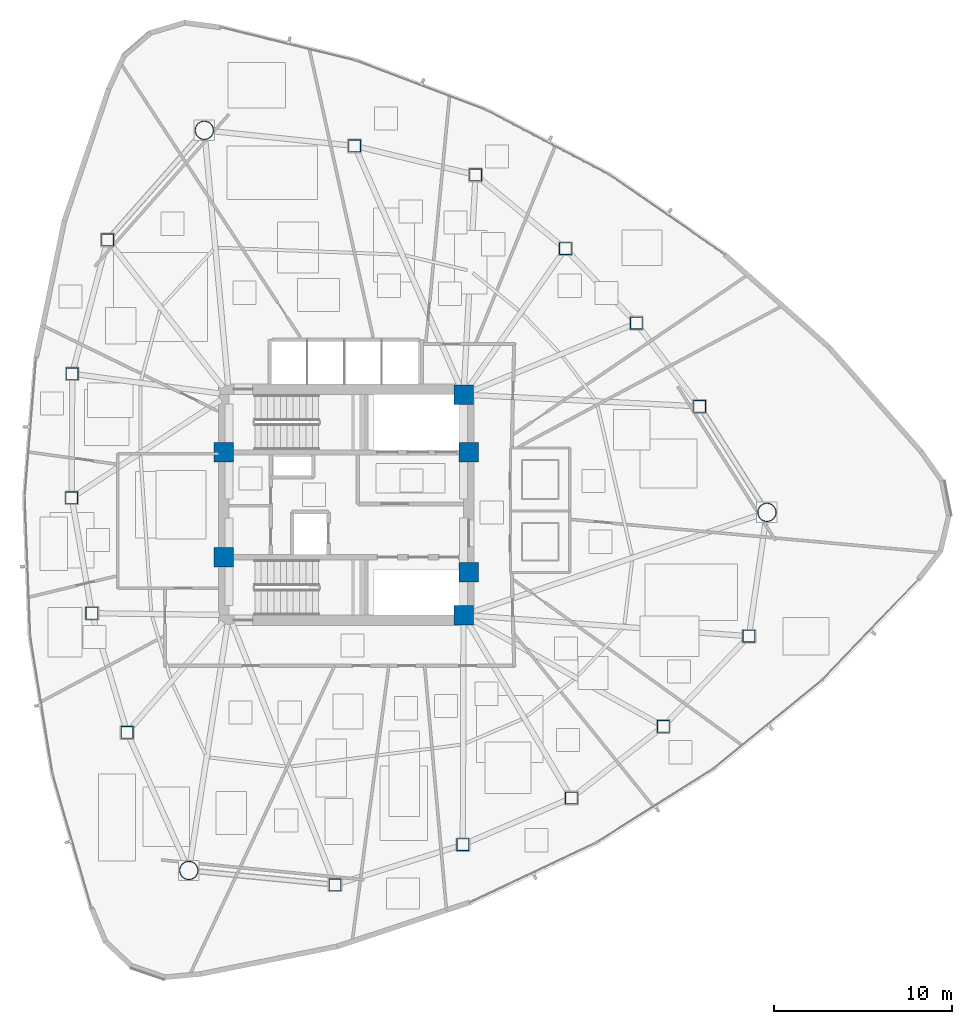
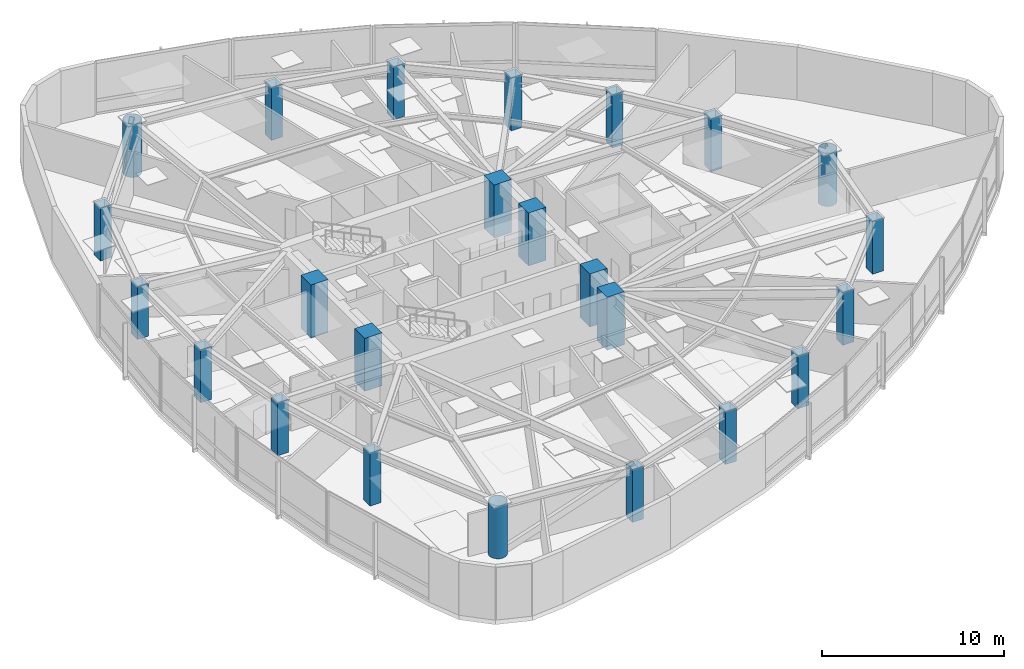
# One storey, part 1 of 17: 24 columns.
"""IFC4 building model written with IfcOpenShell, lengths in metres."""

from ifc_helpers import new_model, si_unit, direction, frame, origin, origin_2d, place, context, subcontext, project, spatial, rectangle, hollow_rectangle, hollow_circle, extrude, material, material_profile, profile_set, type_object, element, save


model = new_model("IFC4")

# Units and contexts
model_context = context("Model", 3, precision=1e-05, world=origin(), true_north=direction((0.0, 1.0)))
body_context = subcontext(model_context, "Body", "Model", "MODEL_VIEW")
ifc_project = project(units=[si_unit("LENGTHUNIT", "METRE"), si_unit("AREAUNIT", "SQUARE_METRE"), si_unit("VOLUMEUNIT", "CUBIC_METRE"), si_unit("PLANEANGLEUNIT", "RADIAN"), si_unit("MASSUNIT", "GRAM", prefix="KILO")], contexts=[model_context])

# Site, building, storey
site_placement = place(None, origin())
site = spatial("IfcSite", under=ifc_project, at=site_placement, CompositionType="ELEMENT")
building_placement = place(site_placement, origin())
building = spatial("IfcBuilding", under=site, at=building_placement, Name="Tavelor Broadcast Tower", CompositionType="ELEMENT")
storey_placement = place(building_placement, frame((0.0, 0.0, 154.10009765625)))
storey = spatial("IfcBuildingStorey", under=building, at=storey_placement, Name="L36", CompositionType="ELEMENT", Elevation=154.10009765625)

# Columns
ifc_material_1 = material(Name="Concrete C60/75", Category="concrete")
ifc_material_profile_1 = material_profile(ifc_material_1, rectangle(XDim=1.10009765625, YDim=1.10009765625, at=origin_2d()), Name="RC 1100x1100")
ifc_profile_set_1 = profile_set([ifc_material_profile_1], Name="Concrete C60/75")
column_type_1 = type_object("IfcColumnType", Name="Core Embedded Composite Column RC1100", PredefinedType="COLUMN", material=ifc_profile_set_1)
for number, where, z_axis, x_axis, name in (
    (1, (43.10009765625, 47.949951171875, 0.0), (0.0, 0.0, 1.0), (1.0, 0.0, 0.0), "L36 Core Embedded Column 1"),
    (2, (56.89990234375, 47.949951171875, 0.0), (0.0, 0.0, 1.0), (1.0, 0.0, 0.0), "L36 Core Embedded Column 2"),
    (3, (56.60009765625, 51.199951171875, 0.0), (0.0, 0.0, 1.0), (1.0, 0.0, 0.0), "L36 Core Embedded Column 3"),
    (4, (43.10009765625, 42.050048828125, 0.0), (0.0, 0.0, 1.0), (1.0, 0.0, 0.0), "L36 Core Embedded Column 4"),
    (5, (56.89990234375, 41.199951171875, 0.0), (0.0, 0.0, 1.0), (1.0, 0.0, 0.0), "L36 Core Embedded Column 5"),
    (6, (56.60009765625, 38.800048828125, 0.0), (0.0, 0.0, 1.0), (1.0, 0.0, 0.0), "L36 Core Embedded Column 6"),
):
    element("IfcColumn", number, at=place(storey_placement, frame(where, z_axis=z_axis, x_axis=x_axis)), inside=storey, type_object=column_type_1, Name=name, PredefinedType="COLUMN", context=body_context, shape_type="SweptSolid", body=[
        extrude(rectangle(XDim=1.10009765625, YDim=1.10009765625, at=origin_2d()), origin(), (0.0, 0.0, 1.0), 3.5498046875),
    ])
ifc_material_2 = material(Name="Steel S460", Category="steel")
ifc_material_profile_2 = material_profile(ifc_material_2, hollow_rectangle(XDim=0.699951171875, YDim=0.699951171875, WallThickness=0.0400390625, at=origin_2d()), Name="SHS 700x700x40")
ifc_profile_set_2 = profile_set([ifc_material_profile_2], Name="Steel S460")
column_type_2 = type_object("IfcColumnType", Name="Perimeter Tube Column T3 SHS 700x700x40", PredefinedType="COLUMN", material=ifc_profile_set_2)
for number, where, z_axis, x_axis, name in (
    (7, (36.567626953125, 59.91064453125, 0.0), (0.0, 0.0, 1.0), (1.0, 0.0, 0.0), "L36 Perimeter Framed-Tube Column 02"),
    (8, (34.5751953125, 52.37939453125, 0.0), (0.0, 0.0, 1.0), (1.0, 0.0, 0.0), "L36 Perimeter Framed-Tube Column 03"),
    (9, (34.54638671875, 45.399169921875, 0.0), (0.0, 0.0, 1.0), (1.0, 0.0, 0.0), "L36 Perimeter Framed-Tube Column 04"),
    (10, (35.680908203125, 38.89990234375, 0.0), (0.0, 0.0, 1.0), (1.0, 0.0, 0.0), "L36 Perimeter Framed-Tube Column 05"),
    (11, (37.668212890625, 32.1904296875, 0.0), (0.0, 0.0, 1.0), (1.0, 0.0, 0.0), "L36 Perimeter Framed-Tube Column 06"),
    (12, (49.366455078125, 23.618896484375, 0.0), (0.0, 0.0, 1.0), (1.0, 0.0, 0.0), "L36 Perimeter Framed-Tube Column 08"),
    (13, (56.56103515625, 25.872802734375, 0.0), (0.0, 0.0, 1.0), (1.0, 0.0, 0.0), "L36 Perimeter Framed-Tube Column 09"),
    (14, (62.669189453125, 28.503173828125, 0.0), (0.0, 0.0, 1.0), (1.0, 0.0, 0.0), "L36 Perimeter Framed-Tube Column 10"),
    (15, (67.84228515625, 32.53173828125, 0.0), (0.0, 0.0, 1.0), (1.0, 0.0, 0.0), "L36 Perimeter Framed-Tube Column 11"),
    (16, (72.6591796875, 37.607421875, 0.0), (0.0, 0.0, 1.0), (1.0, 0.0, 0.0), "L36 Perimeter Framed-Tube Column 12"),
    (17, (69.885986328125, 50.544189453125, 0.0), (0.0, 0.0, 1.0), (1.0, 0.0, 0.0), "L36 Perimeter Framed-Tube Column 14"),
    (18, (66.322021484375, 55.228759765625, 0.0), (0.0, 0.0, 1.0), (1.0, 0.0, 0.0), "L36 Perimeter Framed-Tube Column 15"),
    (19, (62.330810546875, 59.416259765625, 0.0), (0.0, 0.0, 1.0), (1.0, 0.0, 0.0), "L36 Perimeter Framed-Tube Column 16"),
    (20, (57.276611328125, 63.568359375, 0.0), (0.0, 0.0, 1.0), (1.0, 0.0, 0.0), "L36 Perimeter Framed-Tube Column 17"),
    (21, (50.472412109375, 65.2021484375, 0.0), (0.0, 0.0, 1.0), (1.0, 0.0, 0.0), "L36 Perimeter Framed-Tube Column 18"),
):
    element("IfcColumn", number, at=place(storey_placement, frame(where, z_axis=z_axis, x_axis=x_axis)), inside=storey, type_object=column_type_2, Name=name, PredefinedType="COLUMN", context=body_context, shape_type="SweptSolid", body=[
        extrude(hollow_rectangle(XDim=0.699951171875, YDim=0.699951171875, WallThickness=0.0400390625, at=origin_2d()), origin(), (0.0, 0.0, 1.0), 3.5498046875),
    ])
ifc_material_profile_3 = material_profile(ifc_material_2, hollow_circle(Radius=0.533447265625, WallThickness=0.044921875, at=origin_2d()), Name="CHS 1067x45")
ifc_profile_set_3 = profile_set([ifc_material_profile_3], Name="Steel S460")
column_type_3 = type_object("IfcColumnType", Name="Tower Mega Column T3 CHS 1067x45", PredefinedType="COLUMN", material=ifc_profile_set_3)
for number, where, z_axis, x_axis, name in (
    (22, (42.01123046875, 66.080078125, 0.0), (0.0, 0.0, 1.0), (1.0, 0.0, 0.0), "L36 Tower Corner Mega Column 01"),
    (23, (41.138671875, 24.423828125, 0.0), (0.0, 0.0, 1.0), (1.0, 0.0, 0.0), "L36 Tower Corner Mega Column 07"),
    (24, (73.676025390625, 44.57958984375, 0.0), (0.0, 0.0, 1.0), (1.0, 0.0, 0.0), "L36 Tower Corner Mega Column 13"),
):
    element("IfcColumn", number, at=place(storey_placement, frame(where, z_axis=z_axis, x_axis=x_axis)), inside=storey, type_object=column_type_3, Name=name, PredefinedType="COLUMN", context=body_context, shape_type="SweptSolid", body=[
        extrude(hollow_circle(Radius=0.533447265625, WallThickness=0.044921875, at=origin_2d()), origin(), (0.0, 0.0, 1.0), 3.5498046875),
    ])

save(model, "model.ifc")
